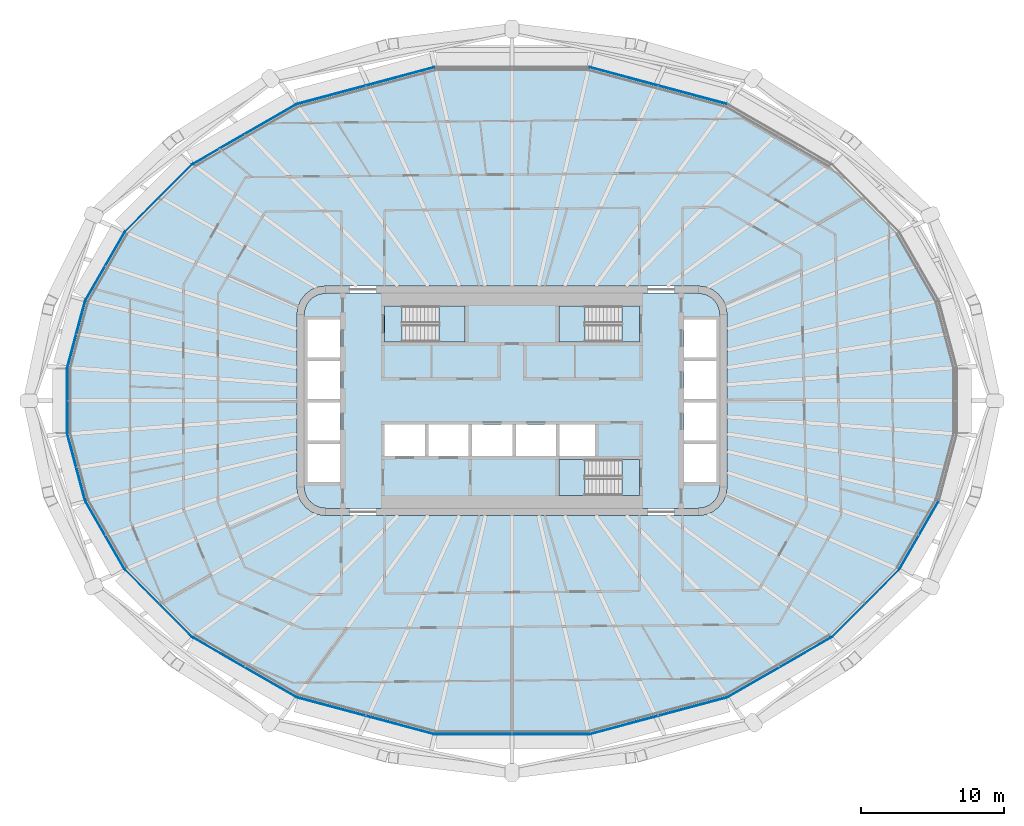
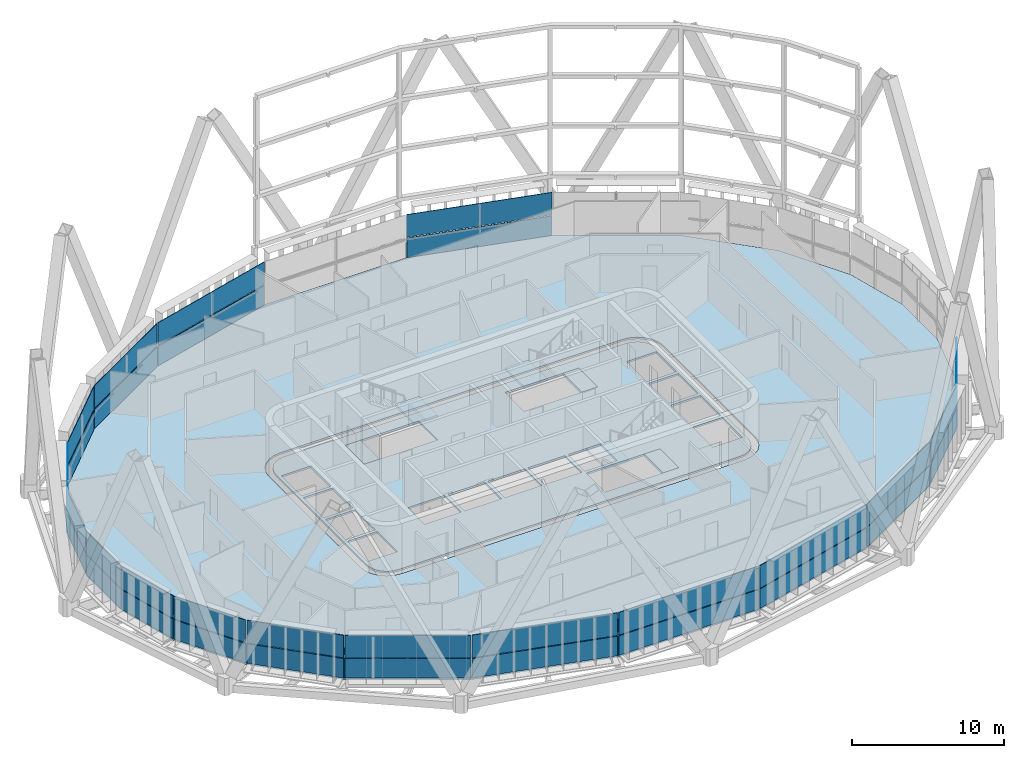
# One storey, part 11 of 25: 34 plates, 8 slabs, 20 elements without a shape of their own.
"""IFC4 building model written with IfcOpenShell, lengths in metres."""

from ifc_helpers import new_model, si_unit, direction, frame, origin, place, context, subcontext, project, spatial, polyline, outline, extrude, material, layer, layer_set, type_object, element, aggregate, save


model = new_model("IFC4")

# Units and contexts
model_context = context("Model", 3, precision=1e-05, world=origin(), true_north=direction((0.0, 1.0)))
body_context = subcontext(model_context, "Body", "Model", "MODEL_VIEW")
ifc_project = project(units=[si_unit("LENGTHUNIT", "METRE"), si_unit("AREAUNIT", "SQUARE_METRE"), si_unit("VOLUMEUNIT", "CUBIC_METRE"), si_unit("PLANEANGLEUNIT", "RADIAN"), si_unit("MASSUNIT", "GRAM", prefix="KILO")], contexts=[model_context])

# Site, building, storey
site_placement = place(None, origin())
site = spatial("IfcSite", under=ifc_project, at=site_placement, CompositionType="ELEMENT")
building_placement = place(site_placement, origin())
building = spatial("IfcBuilding", under=site, at=building_placement, Name="Sahrelin Media Tower", CompositionType="ELEMENT")
storey_placement = place(building_placement, frame((0.0, 0.0, 181.60009765625)))
storey = spatial("IfcBuildingStorey", under=building, at=storey_placement, Name="L38", CompositionType="ELEMENT", Elevation=181.60009765625)

# Slabs
ifc_material_1 = material(Name="Concrete C40/50", Category="concrete")
ifc_layer_1 = layer(ifc_material_1, 0.14990234375)
ifc_layer_set_1 = layer_set([ifc_layer_1], Name="Composite floor slab 150")
slab_type_1 = type_object("IfcSlabType", Name="Composite floor slab 150", PredefinedType="FLOOR", material=ifc_layer_set_1)
placement_1 = place(storey_placement, frame((0.0, 0.0, -0.150146484375)))
element("IfcSlab", 1, at=placement_1, inside=storey, type_object=slab_type_1, Name="Floor slab L38", PredefinedType="FLOOR", context=body_context, shape_type="SweptSolid", body=[
    extrude(outline(polyline([(30.99560546875, -2.31396484375), (30.99560546875, 2.31396484375), (29.742919921875, 6.989501953125), (26.988525390625, 11.760009765625), (22.255126953125, 16.4931640625), (15.02880859375, 20.66552734375), (5.368896484375, 23.25390625), (-5.368896484375, 23.25390625), (-15.02880859375, 20.66552734375), (-22.255126953125, 16.4931640625), (-26.988525390625, 11.760009765625), (-29.742919921875, 6.989501953125), (-30.99560546875, 2.31396484375), (-30.99560546875, -2.31396484375), (-29.742919921875, -6.989501953125), (-26.988525390625, -11.760009765625), (-22.255126953125, -16.4931640625), (-15.02880859375, -20.66552734375), (-5.368896484375, -23.25390625), (5.368896484375, -23.25390625), (15.02880859375, -20.66552734375), (22.255126953125, -16.4931640625), (26.988525390625, -11.760009765625), (29.742919921875, -6.989501953125), (30.99560546875, -2.31396484375)]), holes=[polyline([(14.931884765625, 6.517578125), (15.0, 6.0), (15.0, -6.0), (14.931884765625, -6.517578125), (14.732177734375, -7.0), (14.414306640625, -7.414306640625), (14.0, -7.732177734375), (13.517578125, -7.931884765625), (13.0, -8.0), (-13.0, -8.0), (-13.517578125, -7.931884765625), (-14.0, -7.732177734375), (-14.414306640625, -7.414306640625), (-14.732177734375, -7.0), (-14.931884765625, -6.517578125), (-15.0, -6.0), (-15.0, 6.0), (-14.931884765625, 6.517578125), (-14.732177734375, 7.0), (-14.414306640625, 7.414306640625), (-14.0, 7.732177734375), (-13.517578125, 7.931884765625), (-13.0, 8.0), (13.0, 8.0), (13.517578125, 7.931884765625), (14.0, 7.732177734375), (14.414306640625, 7.414306640625), (14.732177734375, 7.0), (14.931884765625, 6.517578125)])]), origin(), (0.0, 0.0, 1.0), 0.150146484375),
])
ifc_layer_2 = layer(ifc_material_1, 0.14990234375)
ifc_layer_set_2 = layer_set([ifc_layer_2], Name="Core floor slab 150")
slab_type_2 = type_object("IfcSlabType", Name="Core floor slab 150", PredefinedType="FLOOR", material=ifc_layer_set_2)
element("IfcSlab", 2, at=placement_1, inside=storey, type_object=slab_type_2, Name="Core floor", PredefinedType="FLOOR", context=body_context, shape_type="SweptSolid", body=[
    extrude(outline(polyline([(-14.44482421875, 6.38720703125), (-14.5, 5.96728515625), (-14.5, -5.96728515625), (-14.44482421875, -6.38720703125), (-14.29541015625, -6.747802734375), (-14.0576171875, -7.0576171875), (-13.747802734375, -7.29541015625), (-13.38720703125, -7.44482421875), (-12.96728515625, -7.5), (12.96728515625, -7.5), (13.38720703125, -7.44482421875), (13.747802734375, -7.29541015625), (14.0576171875, -7.0576171875), (14.29541015625, -6.747802734375), (14.44482421875, -6.38720703125), (14.5, -5.96728515625), (14.5, 5.96728515625), (14.44482421875, 6.38720703125), (14.29541015625, 6.747802734375), (14.0576171875, 7.0576171875), (13.747802734375, 7.29541015625), (13.38720703125, 7.44482421875), (12.96728515625, 7.5), (-12.96728515625, 7.5), (-13.38720703125, 7.44482421875), (-13.747802734375, 7.29541015625), (-14.0576171875, 7.0576171875), (-14.29541015625, 6.747802734375), (-14.44482421875, 6.38720703125)]), holes=[polyline([(-12.0, 3.02490234375), (-12.0, 5.675048828125), (-14.25, 5.675048828125), (-14.25, 3.02490234375), (-12.0, 3.02490234375)]), polyline([(-14.25, 0.125), (-12.0, 0.125), (-12.0, 2.77490234375), (-14.25, 2.77490234375), (-14.25, 0.125)]), polyline([(-14.25, -0.125), (-14.25, -2.77490234375), (-12.0, -2.77490234375), (-12.0, -0.125), (-14.25, -0.125)]), polyline([(-12.0, -3.02490234375), (-14.25, -3.02490234375), (-14.25, -5.675048828125), (-12.0, -5.675048828125), (-12.0, -3.02490234375)]), polyline([(14.25, 3.02490234375), (14.25, 5.675048828125), (12.0, 5.675048828125), (12.0, 3.02490234375), (14.25, 3.02490234375)]), polyline([(12.0, 0.125), (14.25, 0.125), (14.25, 2.77490234375), (12.0, 2.77490234375), (12.0, 0.125)]), polyline([(12.0, -0.125), (12.0, -2.77490234375), (14.25, -2.77490234375), (14.25, -0.125), (12.0, -0.125)]), polyline([(14.25, -3.02490234375), (12.0, -3.02490234375), (12.0, -5.675048828125), (14.25, -5.675048828125), (14.25, -3.02490234375)]), polyline([(-6.074951171875, -3.85009765625), (-6.074951171875, -1.64990234375), (-8.875, -1.64990234375), (-8.875, -3.85009765625), (-6.074951171875, -3.85009765625)]), polyline([(-5.824951171875, -3.85009765625), (-3.02490234375, -3.85009765625), (-3.02490234375, -1.64990234375), (-5.824951171875, -1.64990234375), (-5.824951171875, -3.85009765625)]), polyline([(-2.77490234375, -1.64990234375), (-2.77490234375, -3.85009765625), (0.02490234375, -3.85009765625), (0.02490234375, -1.64990234375), (-2.77490234375, -1.64990234375)]), polyline([(3.074951171875, -1.64990234375), (0.27490234375, -1.64990234375), (0.27490234375, -3.85009765625), (3.074951171875, -3.85009765625), (3.074951171875, -1.64990234375)]), polyline([(5.77490234375, -3.85009765625), (5.77490234375, -1.64990234375), (3.324951171875, -1.64990234375), (3.324951171875, -3.85009765625), (5.77490234375, -3.85009765625)]), polyline([(-8.875, 6.60009765625), (-8.875, 4.10009765625), (-3.27490234375, 4.10009765625), (-3.27490234375, 6.60009765625), (-8.875, 6.60009765625)]), polyline([(3.27490234375, 4.10009765625), (8.875, 4.10009765625), (8.875, 6.60009765625), (3.27490234375, 6.60009765625), (3.27490234375, 4.10009765625)]), polyline([(3.27490234375, -4.10009765625), (3.27490234375, -6.60009765625), (8.875, -6.60009765625), (8.875, -4.10009765625), (3.27490234375, -4.10009765625)])]), origin(), (0.0, 0.0, 1.0), 0.150146484375),
])

# Curtain wall, plate
ifc_material_2 = material(Name="Champagne anodised aluminium 6063-T6", Category="aluminium")
ifc_layer_3 = layer(ifc_material_2, 0.14990234375)
ifc_layer_set_3 = layer_set([ifc_layer_3], Name="Tower ribbon curtain wall")
curtain_wall_type = type_object("IfcCurtainWallType", Name="Tower ribbon curtain wall", PredefinedType="NOTDEFINED", material=ifc_layer_set_3)
curtain_wall_1_placement = place(storey_placement, frame((10.203857421875, 21.97900390625, 0.0), z_axis=(0.0, 0.0, 1.0), x_axis=(1.0, 0.0, 0.0)))
curtain_wall_1 = element("IfcCurtainWall", 3, at=curtain_wall_1_placement, inside=storey, type_object=curtain_wall_type, Name="L38:CW:L38-05", PredefinedType="NOTDEFINED")
ifc_material_3 = material(Name="Clear low-iron glazing", Category="glass")
ifc_layer_4 = layer(ifc_material_3, 0.0439453125)
ifc_layer_set_4 = layer_set([ifc_layer_4], Name="Glazing panel 44 mm CW1B")
plate_type_1 = type_object("IfcPlateType", Name="Glazing panel 44 mm CW1B", PredefinedType="CURTAIN_PANEL", material=ifc_layer_set_4)
plate_1_placement = place(storey_placement, frame((14.993408203125, 20.71630859375, 1.6298828125), z_axis=(0.258825191525, 0.965924179339, 0.0), x_axis=(-0.965924179339, 0.258825191525, 0.0)))
plate_1 = element("IfcPlate", 4, at=plate_1_placement, type_object=plate_type_1, Name="L38:CWP2:L38-05", PredefinedType="CURTAIN_PANEL", context=body_context, shape_type="SweptSolid", body=[
    extrude(outline(polyline([(0.0, 0.0), (9.90625, 0.0), (9.90625, 1.818603515625), (0.0, 1.818603515625), (0.0, 0.0)])), origin(), (0.0, 0.0, -1.0), 0.0439453125),
])

curtain_wall_2_placement = place(storey_placement, frame((-10.2041015625, 21.97900390625, 0.0), z_axis=(0.0, 0.0, 1.0), x_axis=(1.0, 0.0, 0.0)))
curtain_wall_2 = element("IfcCurtainWall", 5, at=curtain_wall_2_placement, inside=storey, type_object=curtain_wall_type, Name="L38:CW:L38-07", PredefinedType="NOTDEFINED")
plate_2_placement = place(storey_placement, frame((-5.4248046875, 23.2802734375, 1.6298828125), z_axis=(-0.258825191525, 0.965924179339, 0.0), x_axis=(-0.965924179339, -0.258825191525, 0.0)))
plate_2 = element("IfcPlate", 6, at=plate_2_placement, type_object=plate_type_1, Name="L38:CWP2:L38-07", PredefinedType="CURTAIN_PANEL", context=body_context, shape_type="SweptSolid", body=[
    extrude(outline(polyline([(0.0, 0.0), (9.90625, 0.0), (9.90625, 1.818603515625), (0.0, 1.818603515625), (0.0, 0.0)])), origin(), (0.0, 0.0, -1.0), 0.0439453125),
])

curtain_wall_3_placement = place(storey_placement, frame((-18.652099609375, 18.5966796875, 0.0), z_axis=(0.0, 0.0, 1.0), x_axis=(1.0, 0.0, 0.0)))
curtain_wall_3 = element("IfcCurtainWall", 7, at=curtain_wall_3_placement, inside=storey, type_object=curtain_wall_type, Name="L38:CW:L38-08", PredefinedType="NOTDEFINED")
plate_3_placement = place(storey_placement, frame((-15.08984375, 20.676513671875, 1.6298828125), z_axis=(-0.500022174841, 0.866012600756, 0.0), x_axis=(-0.866012600756, -0.500022174841, 0.0)))
plate_3 = element("IfcPlate", 8, at=plate_3_placement, type_object=plate_type_1, Name="L38:CWP2:L38-08", PredefinedType="CURTAIN_PANEL", context=body_context, shape_type="SweptSolid", body=[
    extrude(outline(polyline([(0.0, 0.0), (8.249755859375, 0.0), (8.249755859375, 1.818603515625), (0.0, 1.818603515625), (0.0, 0.0)])), origin(), (0.0, 0.0, -1.0), 0.0439453125),
])

curtain_wall_4_placement = place(storey_placement, frame((-24.635986328125, 14.140625, 0.0), z_axis=(0.0, 0.0, 1.0), x_axis=(1.0, 0.0, 0.0)))
curtain_wall_4 = element("IfcCurtainWall", 9, at=curtain_wall_4_placement, inside=storey, type_object=curtain_wall_type, Name="L38:CW:L38-09", PredefinedType="NOTDEFINED")
plate_4_placement = place(storey_placement, frame((-22.31689453125, 16.488037109375, 1.6298828125), z_axis=(-0.70708828337, 0.707125278519, 0.0), x_axis=(-0.707125278519, -0.70708828337, 0.0)))
plate_4 = element("IfcPlate", 10, at=plate_4_placement, type_object=plate_type_1, Name="L38:CWP2:L38-09", PredefinedType="CURTAIN_PANEL", context=body_context, shape_type="SweptSolid", body=[
    extrude(outline(polyline([(0.0, 0.0), (6.599365234375, 0.0), (6.599365234375, 1.818603515625), (0.0, 1.818603515625), (0.0, 0.0)])), origin(), (0.0, 0.0, -1.0), 0.0439453125),
])

curtain_wall_5_placement = place(storey_placement, frame((-28.3828125, 9.384521484375, 0.0), z_axis=(0.0, 0.0, 1.0), x_axis=(1.0, 0.0, 0.0)))
curtain_wall_5 = element("IfcCurtainWall", 11, at=curtain_wall_5_placement, inside=storey, type_object=curtain_wall_type, Name="L38:CW:L38-10", PredefinedType="NOTDEFINED")
plate_5_placement = place(storey_placement, frame((-27.046875, 11.739013671875, 1.6298828125), z_axis=(-0.866045162472, 0.499965775388, 0.0), x_axis=(-0.499965775388, -0.866045162472, 0.0)))
plate_5 = element("IfcPlate", 12, at=plate_5_placement, type_object=plate_type_1, Name="L38:CWP2:L38-10", PredefinedType="CURTAIN_PANEL", context=body_context, shape_type="SweptSolid", body=[
    extrude(outline(polyline([(0.0, 0.0), (5.4140625, 0.0), (5.4140625, 1.818603515625), (0.0, 1.818603515625), (0.0, 0.0)])), origin(), (0.0, 0.0, -1.0), 0.0439453125),
])

curtain_wall_6_placement = place(storey_placement, frame((-30.388427734375, 4.656982421875, 0.0), z_axis=(0.0, 0.0, 1.0), x_axis=(1.0, 0.0, 0.0)))
curtain_wall_6 = element("IfcCurtainWall", 13, at=curtain_wall_6_placement, inside=storey, type_object=curtain_wall_type, Name="L38:CW:L38-11", PredefinedType="NOTDEFINED")
plate_6_placement = place(storey_placement, frame((-29.793701171875, 6.9541015625, 1.6298828125), z_axis=(-0.965926006822, 0.258818371342, 0.0), x_axis=(-0.258818371342, -0.965926006822, 0.0)))
plate_6 = element("IfcPlate", 14, at=plate_6_placement, type_object=plate_type_1, Name="L38:CWP2:L38-11", PredefinedType="CURTAIN_PANEL", context=body_context, shape_type="SweptSolid", body=[
    extrude(outline(polyline([(0.0, 0.0), (4.74560546875, 0.0), (4.74560546875, 1.818603515625), (0.0, 1.818603515625), (0.0, 0.0)])), origin(), (0.0, 0.0, -1.0), 0.0439453125),
])

curtain_wall_7_placement = place(storey_placement, frame((-31.015625, 0.0, 0.0), z_axis=(0.0, 0.0, 1.0), x_axis=(1.0, 0.0, 0.0)))
curtain_wall_7 = element("IfcCurtainWall", 15, at=curtain_wall_7_placement, inside=storey, type_object=curtain_wall_type, Name="L38:CW:L38-12", PredefinedType="NOTDEFINED")
plate_7_placement = place(storey_placement, frame((-31.03564453125, 2.2666015625, 1.6298828125), z_axis=(-1.0, 0.0, 0.0), x_axis=(0.0, -1.0, 0.0)))
plate_7 = element("IfcPlate", 16, at=plate_7_placement, type_object=plate_type_1, Name="L38:CWP2:L38-12", PredefinedType="CURTAIN_PANEL", context=body_context, shape_type="SweptSolid", body=[
    extrude(outline(polyline([(0.0, 0.0), (4.533203125, 0.0), (4.533203125, 1.818603515625), (0.0, 1.818603515625), (0.0, 0.0)])), origin(), (0.0, 0.0, -1.0), 0.0439453125),
])

curtain_wall_8_placement = place(storey_placement, frame((-30.388427734375, -4.65673828125, 0.0), z_axis=(0.0, 0.0, 1.0), x_axis=(1.0, 0.0, 0.0)))
curtain_wall_8 = element("IfcCurtainWall", 17, at=curtain_wall_8_placement, inside=storey, type_object=curtain_wall_type, Name="L38:CW:L38-13", PredefinedType="NOTDEFINED")
plate_8_placement = place(storey_placement, frame((-31.02197265625, -2.3701171875, 1.6298828125), z_axis=(-0.965926006822, -0.258818371342, 0.0), x_axis=(0.258818371342, -0.965926006822, 0.0)))
plate_8 = element("IfcPlate", 18, at=plate_8_placement, type_object=plate_type_1, Name="L38:CWP2:L38-13", PredefinedType="CURTAIN_PANEL", context=body_context, shape_type="SweptSolid", body=[
    extrude(outline(polyline([(0.0, 0.0), (4.74560546875, 0.0), (4.74560546875, 1.818603515625), (0.0, 1.818603515625), (0.0, 0.0)])), origin(), (0.0, 0.0, -1.0), 0.0439453125),
])

curtain_wall_9_placement = place(storey_placement, frame((-28.383056640625, -9.384765625, 0.0), z_axis=(0.0, 0.0, 1.0), x_axis=(1.0, 0.0, 0.0)))
curtain_wall_9 = element("IfcCurtainWall", 19, at=curtain_wall_9_placement, inside=storey, type_object=curtain_wall_type, Name="L38:CW:L38-14", PredefinedType="NOTDEFINED")
plate_9_placement = place(storey_placement, frame((-29.753662109375, -7.05029296875, 1.6298828125), z_axis=(-0.866045162472, -0.499965775388, 0.0), x_axis=(0.499965775388, -0.866045162472, 0.0)))
plate_9 = element("IfcPlate", 20, at=plate_9_placement, type_object=plate_type_1, Name="L38:CWP2:L38-14", PredefinedType="CURTAIN_PANEL", context=body_context, shape_type="SweptSolid", body=[
    extrude(outline(polyline([(0.0, 0.0), (5.4140625, 0.0), (5.4140625, 1.818603515625), (0.0, 1.818603515625), (0.0, 0.0)])), origin(), (0.0, 0.0, -1.0), 0.0439453125),
])

curtain_wall_10_placement = place(storey_placement, frame((-24.635986328125, -14.140625, 0.0), z_axis=(0.0, 0.0, 1.0), x_axis=(1.0, 0.0, 0.0)))
curtain_wall_10 = element("IfcCurtainWall", 21, at=curtain_wall_10_placement, inside=storey, type_object=curtain_wall_type, Name="L38:CW:L38-15", PredefinedType="NOTDEFINED")
plate_10_placement = place(storey_placement, frame((-26.9833984375, -11.82177734375, 1.6298828125), z_axis=(-0.70708828337, -0.707125278519, 0.0), x_axis=(0.707125278519, -0.70708828337, 0.0)))
plate_10 = element("IfcPlate", 22, at=plate_10_placement, type_object=plate_type_1, Name="L38:CWP2:L38-15", PredefinedType="CURTAIN_PANEL", context=body_context, shape_type="SweptSolid", body=[
    extrude(outline(polyline([(0.0, 0.0), (6.599365234375, 0.0), (6.599365234375, 1.818603515625), (0.0, 1.818603515625), (0.0, 0.0)])), origin(), (0.0, 0.0, -1.0), 0.0439453125),
])

curtain_wall_11_placement = place(storey_placement, frame((-18.652099609375, -18.5966796875, 0.0), z_axis=(0.0, 0.0, 1.0), x_axis=(1.0, 0.0, 0.0)))
curtain_wall_11 = element("IfcCurtainWall", 23, at=curtain_wall_11_placement, inside=storey, type_object=curtain_wall_type, Name="L38:CW:L38-16", PredefinedType="NOTDEFINED")
plate_11_placement = place(storey_placement, frame((-22.234130859375, -16.551513671875, 1.6298828125), z_axis=(-0.500022174841, -0.866012600756, 0.0), x_axis=(0.866012600756, -0.500022174841, 0.0)))
plate_11 = element("IfcPlate", 24, at=plate_11_placement, type_object=plate_type_1, Name="L38:CWP2:L38-16", PredefinedType="CURTAIN_PANEL", context=body_context, shape_type="SweptSolid", body=[
    extrude(outline(polyline([(0.0, 0.0), (8.249755859375, 0.0), (8.249755859375, 1.818603515625), (0.0, 1.818603515625), (0.0, 0.0)])), origin(), (0.0, 0.0, -1.0), 0.0439453125),
])

curtain_wall_12_placement = place(storey_placement, frame((-10.203857421875, -21.97900390625, 0.0), z_axis=(0.0, 0.0, 1.0), x_axis=(1.0, 0.0, 0.0)))
curtain_wall_12 = element("IfcCurtainWall", 25, at=curtain_wall_12_placement, inside=storey, type_object=curtain_wall_type, Name="L38:CW:L38-17", PredefinedType="NOTDEFINED")
plate_12_placement = place(storey_placement, frame((-14.993408203125, -20.71630859375, 1.6298828125), z_axis=(-0.258825191525, -0.965924179339, 0.0), x_axis=(0.965924179339, -0.258825191525, 0.0)))
plate_12 = element("IfcPlate", 26, at=plate_12_placement, type_object=plate_type_1, Name="L38:CWP2:L38-17", PredefinedType="CURTAIN_PANEL", context=body_context, shape_type="SweptSolid", body=[
    extrude(outline(polyline([(0.0, 0.0), (9.90625, 0.0), (9.90625, 1.818603515625), (0.0, 1.818603515625), (0.0, 0.0)])), origin(), (0.0, 0.0, -1.0), 0.0439453125),
])

curtain_wall_13_placement = place(storey_placement, frame((0.0, -23.273681640625, 0.0), z_axis=(0.0, 0.0, 1.0), x_axis=(1.0, 0.0, 0.0)))
curtain_wall_13 = element("IfcCurtainWall", 27, at=curtain_wall_13_placement, inside=storey, type_object=curtain_wall_type, Name="L38:CW:L38-18", PredefinedType="NOTDEFINED")
plate_13_placement = place(storey_placement, frame((-5.3212890625, -23.293701171875, 1.6298828125), z_axis=(0.0, -1.0, 0.0), x_axis=(1.0, 0.0, 0.0)))
plate_13 = element("IfcPlate", 28, at=plate_13_placement, type_object=plate_type_1, Name="L38:CWP2:L38-18", PredefinedType="CURTAIN_PANEL", context=body_context, shape_type="SweptSolid", body=[
    extrude(outline(polyline([(0.0, 0.0), (10.642578125, 0.0), (10.642578125, 1.818603515625), (0.0, 1.818603515625), (0.0, 0.0)])), origin(), (0.0, 0.0, -1.0), 0.0439453125),
])

curtain_wall_14_placement = place(storey_placement, frame((10.2041015625, -21.97900390625, 0.0), z_axis=(0.0, 0.0, 1.0), x_axis=(1.0, 0.0, 0.0)))
curtain_wall_14 = element("IfcCurtainWall", 29, at=curtain_wall_14_placement, inside=storey, type_object=curtain_wall_type, Name="L38:CW:L38-19", PredefinedType="NOTDEFINED")
plate_14_placement = place(storey_placement, frame((5.4248046875, -23.2802734375, 1.6298828125), z_axis=(0.258825191525, -0.965924179339, 0.0), x_axis=(0.965924179339, 0.258825191525, 0.0)))
plate_14 = element("IfcPlate", 30, at=plate_14_placement, type_object=plate_type_1, Name="L38:CWP2:L38-19", PredefinedType="CURTAIN_PANEL", context=body_context, shape_type="SweptSolid", body=[
    extrude(outline(polyline([(0.0, 0.0), (9.90625, 0.0), (9.90625, 1.818603515625), (0.0, 1.818603515625), (0.0, 0.0)])), origin(), (0.0, 0.0, -1.0), 0.0439453125),
])

curtain_wall_15_placement = place(storey_placement, frame((18.652099609375, -18.5966796875, 0.0), z_axis=(0.0, 0.0, 1.0), x_axis=(1.0, 0.0, 0.0)))
curtain_wall_15 = element("IfcCurtainWall", 31, at=curtain_wall_15_placement, inside=storey, type_object=curtain_wall_type, Name="L38:CW:L38-20", PredefinedType="NOTDEFINED")
plate_15_placement = place(storey_placement, frame((15.08984375, -20.676513671875, 1.6298828125), z_axis=(0.500022174841, -0.866012600756, 0.0), x_axis=(0.866012600756, 0.500022174841, 0.0)))
plate_15 = element("IfcPlate", 32, at=plate_15_placement, type_object=plate_type_1, Name="L38:CWP2:L38-20", PredefinedType="CURTAIN_PANEL", context=body_context, shape_type="SweptSolid", body=[
    extrude(outline(polyline([(0.0, 0.0), (8.249755859375, 0.0), (8.249755859375, 1.818603515625), (0.0, 1.818603515625), (0.0, 0.0)])), origin(), (0.0, 0.0, -1.0), 0.0439453125),
])

curtain_wall_16_placement = place(storey_placement, frame((24.635986328125, -14.140625, 0.0), z_axis=(0.0, 0.0, 1.0), x_axis=(1.0, 0.0, 0.0)))
curtain_wall_16 = element("IfcCurtainWall", 33, at=curtain_wall_16_placement, inside=storey, type_object=curtain_wall_type, Name="L38:CW:L38-21", PredefinedType="NOTDEFINED")
plate_16_placement = place(storey_placement, frame((22.31689453125, -16.488037109375, 1.6298828125), z_axis=(0.70708828337, -0.707125278519, 0.0), x_axis=(0.707125278519, 0.70708828337, 0.0)))
plate_16 = element("IfcPlate", 34, at=plate_16_placement, type_object=plate_type_1, Name="L38:CWP2:L38-21", PredefinedType="CURTAIN_PANEL", context=body_context, shape_type="SweptSolid", body=[
    extrude(outline(polyline([(0.0, 0.0), (6.599365234375, 0.0), (6.599365234375, 1.818603515625), (0.0, 1.818603515625), (0.0, 0.0)])), origin(), (0.0, 0.0, -1.0), 0.0439453125),
])

curtain_wall_17_placement = place(storey_placement, frame((28.3828125, -9.384521484375, 0.0), z_axis=(0.0, 0.0, 1.0), x_axis=(1.0, 0.0, 0.0)))
curtain_wall_17 = element("IfcCurtainWall", 35, at=curtain_wall_17_placement, inside=storey, type_object=curtain_wall_type, Name="L38:CW:L38-22", PredefinedType="NOTDEFINED")
plate_17_placement = place(storey_placement, frame((27.046875, -11.739013671875, 1.6298828125), z_axis=(0.866045162472, -0.499965775388, 0.0), x_axis=(0.499965775388, 0.866045162472, 0.0)))
plate_17 = element("IfcPlate", 36, at=plate_17_placement, type_object=plate_type_1, Name="L38:CWP2:L38-22", PredefinedType="CURTAIN_PANEL", context=body_context, shape_type="SweptSolid", body=[
    extrude(outline(polyline([(0.0, 0.0), (5.4140625, 0.0), (5.4140625, 1.818603515625), (0.0, 1.818603515625), (0.0, 0.0)])), origin(), (0.0, 0.0, -1.0), 0.0439453125),
])

# Plate
ifc_material_4 = material(Name="Insulated spandrel panel")
ifc_layer_5 = layer(ifc_material_4, 0.06005859375)
ifc_layer_set_5 = layer_set([ifc_layer_5], Name="Spandrel panel 60 mm CW1")
plate_type_2 = type_object("IfcPlateType", Name="Spandrel panel 60 mm CW1", PredefinedType="SHEET", material=ifc_layer_set_5)
plate_18_placement = place(storey_placement, frame((14.993408203125, 20.71630859375, 0.0), z_axis=(0.258825191525, 0.965924179339, 0.0), x_axis=(-0.965924179339, 0.258825191525, 0.0)))
plate_18 = element("IfcPlate", 37, at=plate_18_placement, type_object=plate_type_2, Name="L38:CWP1:L38-05", PredefinedType="SHEET", context=body_context, shape_type="SweptSolid", body=[
    extrude(outline(polyline([(0.0, 0.0), (9.90625, 0.0), (9.90625, 1.56982421875), (0.0, 1.56982421875), (0.0, 0.0)])), origin(), (0.0, 0.0, -1.0), 0.06005859375),
])

aggregate(curtain_wall_1, [plate_18, plate_1])

plate_19_placement = place(storey_placement, frame((-5.4248046875, 23.2802734375, 0.0), z_axis=(-0.258825191525, 0.965924179339, 0.0), x_axis=(-0.965924179339, -0.258825191525, 0.0)))
plate_19 = element("IfcPlate", 38, at=plate_19_placement, type_object=plate_type_2, Name="L38:CWP1:L38-07", PredefinedType="SHEET", context=body_context, shape_type="SweptSolid", body=[
    extrude(outline(polyline([(0.0, 0.0), (9.90625, 0.0), (9.90625, 1.56982421875), (0.0, 1.56982421875), (0.0, 0.0)])), origin(), (0.0, 0.0, -1.0), 0.06005859375),
])

aggregate(curtain_wall_2, [plate_19, plate_2])

plate_20_placement = place(storey_placement, frame((-15.08984375, 20.676513671875, 0.0), z_axis=(-0.500022174841, 0.866012600756, 0.0), x_axis=(-0.866012600756, -0.500022174841, 0.0)))
plate_20 = element("IfcPlate", 39, at=plate_20_placement, type_object=plate_type_2, Name="L38:CWP1:L38-08", PredefinedType="SHEET", context=body_context, shape_type="SweptSolid", body=[
    extrude(outline(polyline([(0.0, 0.0), (8.249755859375, 0.0), (8.249755859375, 1.56982421875), (0.0, 1.56982421875), (0.0, 0.0)])), origin(), (0.0, 0.0, -1.0), 0.06005859375),
])

aggregate(curtain_wall_3, [plate_20, plate_3])

plate_21_placement = place(storey_placement, frame((-22.31689453125, 16.488037109375, 0.0), z_axis=(-0.70708828337, 0.707125278519, 0.0), x_axis=(-0.707125278519, -0.70708828337, 0.0)))
plate_21 = element("IfcPlate", 40, at=plate_21_placement, type_object=plate_type_2, Name="L38:CWP1:L38-09", PredefinedType="SHEET", context=body_context, shape_type="SweptSolid", body=[
    extrude(outline(polyline([(0.0, 0.0), (6.599365234375, 0.0), (6.599365234375, 1.56982421875), (0.0, 1.56982421875), (0.0, 0.0)])), origin(), (0.0, 0.0, -1.0), 0.06005859375),
])

aggregate(curtain_wall_4, [plate_21, plate_4])

plate_22_placement = place(storey_placement, frame((-27.046875, 11.739013671875, 0.0), z_axis=(-0.866045162472, 0.499965775388, 0.0), x_axis=(-0.499965775388, -0.866045162472, 0.0)))
plate_22 = element("IfcPlate", 41, at=plate_22_placement, type_object=plate_type_2, Name="L38:CWP1:L38-10", PredefinedType="SHEET", context=body_context, shape_type="SweptSolid", body=[
    extrude(outline(polyline([(0.0, 0.0), (5.4140625, 0.0), (5.4140625, 1.56982421875), (0.0, 1.56982421875), (0.0, 0.0)])), origin(), (0.0, 0.0, -1.0), 0.06005859375),
])

aggregate(curtain_wall_5, [plate_22, plate_5])

plate_23_placement = place(storey_placement, frame((-29.793701171875, 6.9541015625, 0.0), z_axis=(-0.965926006822, 0.258818371342, 0.0), x_axis=(-0.258818371342, -0.965926006822, 0.0)))
plate_23 = element("IfcPlate", 42, at=plate_23_placement, type_object=plate_type_2, Name="L38:CWP1:L38-11", PredefinedType="SHEET", context=body_context, shape_type="SweptSolid", body=[
    extrude(outline(polyline([(0.0, 0.0), (4.74560546875, 0.0), (4.74560546875, 1.56982421875), (0.0, 1.56982421875), (0.0, 0.0)])), origin(), (0.0, 0.0, -1.0), 0.06005859375),
])

aggregate(curtain_wall_6, [plate_23, plate_6])

plate_24_placement = place(storey_placement, frame((-31.03564453125, 2.2666015625, 0.0), z_axis=(-1.0, 0.0, 0.0), x_axis=(0.0, -1.0, 0.0)))
plate_24 = element("IfcPlate", 43, at=plate_24_placement, type_object=plate_type_2, Name="L38:CWP1:L38-12", PredefinedType="SHEET", context=body_context, shape_type="SweptSolid", body=[
    extrude(outline(polyline([(0.0, 0.0), (4.533203125, 0.0), (4.533203125, 1.56982421875), (0.0, 1.56982421875), (0.0, 0.0)])), origin(), (0.0, 0.0, -1.0), 0.06005859375),
])

aggregate(curtain_wall_7, [plate_24, plate_7])

plate_25_placement = place(storey_placement, frame((-31.02197265625, -2.3701171875, 0.0), z_axis=(-0.965926006822, -0.258818371342, 0.0), x_axis=(0.258818371342, -0.965926006822, 0.0)))
plate_25 = element("IfcPlate", 44, at=plate_25_placement, type_object=plate_type_2, Name="L38:CWP1:L38-13", PredefinedType="SHEET", context=body_context, shape_type="SweptSolid", body=[
    extrude(outline(polyline([(0.0, 0.0), (4.74560546875, 0.0), (4.74560546875, 1.56982421875), (0.0, 1.56982421875), (0.0, 0.0)])), origin(), (0.0, 0.0, -1.0), 0.06005859375),
])

aggregate(curtain_wall_8, [plate_25, plate_8])

plate_26_placement = place(storey_placement, frame((-29.753662109375, -7.05029296875, 0.0), z_axis=(-0.866045162472, -0.499965775388, 0.0), x_axis=(0.499965775388, -0.866045162472, 0.0)))
plate_26 = element("IfcPlate", 45, at=plate_26_placement, type_object=plate_type_2, Name="L38:CWP1:L38-14", PredefinedType="SHEET", context=body_context, shape_type="SweptSolid", body=[
    extrude(outline(polyline([(0.0, 0.0), (5.4140625, 0.0), (5.4140625, 1.56982421875), (0.0, 1.56982421875), (0.0, 0.0)])), origin(), (0.0, 0.0, -1.0), 0.06005859375),
])

aggregate(curtain_wall_9, [plate_26, plate_9])

plate_27_placement = place(storey_placement, frame((-26.9833984375, -11.82177734375, 0.0), z_axis=(-0.70708828337, -0.707125278519, 0.0), x_axis=(0.707125278519, -0.70708828337, 0.0)))
plate_27 = element("IfcPlate", 46, at=plate_27_placement, type_object=plate_type_2, Name="L38:CWP1:L38-15", PredefinedType="SHEET", context=body_context, shape_type="SweptSolid", body=[
    extrude(outline(polyline([(0.0, 0.0), (6.599365234375, 0.0), (6.599365234375, 1.56982421875), (0.0, 1.56982421875), (0.0, 0.0)])), origin(), (0.0, 0.0, -1.0), 0.06005859375),
])

aggregate(curtain_wall_10, [plate_27, plate_10])

plate_28_placement = place(storey_placement, frame((-22.234130859375, -16.551513671875, 0.0), z_axis=(-0.500022174841, -0.866012600756, 0.0), x_axis=(0.866012600756, -0.500022174841, 0.0)))
plate_28 = element("IfcPlate", 47, at=plate_28_placement, type_object=plate_type_2, Name="L38:CWP1:L38-16", PredefinedType="SHEET", context=body_context, shape_type="SweptSolid", body=[
    extrude(outline(polyline([(0.0, 0.0), (8.249755859375, 0.0), (8.249755859375, 1.56982421875), (0.0, 1.56982421875), (0.0, 0.0)])), origin(), (0.0, 0.0, -1.0), 0.06005859375),
])

aggregate(curtain_wall_11, [plate_28, plate_11])

plate_29_placement = place(storey_placement, frame((-14.993408203125, -20.71630859375, 0.0), z_axis=(-0.258825191525, -0.965924179339, 0.0), x_axis=(0.965924179339, -0.258825191525, 0.0)))
plate_29 = element("IfcPlate", 48, at=plate_29_placement, type_object=plate_type_2, Name="L38:CWP1:L38-17", PredefinedType="SHEET", context=body_context, shape_type="SweptSolid", body=[
    extrude(outline(polyline([(0.0, 0.0), (9.90625, 0.0), (9.90625, 1.56982421875), (0.0, 1.56982421875), (0.0, 0.0)])), origin(), (0.0, 0.0, -1.0), 0.06005859375),
])

aggregate(curtain_wall_12, [plate_29, plate_12])

plate_30_placement = place(storey_placement, frame((-5.3212890625, -23.293701171875, 0.0), z_axis=(0.0, -1.0, 0.0), x_axis=(1.0, 0.0, 0.0)))
plate_30 = element("IfcPlate", 49, at=plate_30_placement, type_object=plate_type_2, Name="L38:CWP1:L38-18", PredefinedType="SHEET", context=body_context, shape_type="SweptSolid", body=[
    extrude(outline(polyline([(0.0, 0.0), (10.642578125, 0.0), (10.642578125, 1.56982421875), (0.0, 1.56982421875), (0.0, 0.0)])), origin(), (0.0, 0.0, -1.0), 0.06005859375),
])

aggregate(curtain_wall_13, [plate_30, plate_13])

plate_31_placement = place(storey_placement, frame((5.4248046875, -23.2802734375, 0.0), z_axis=(0.258825191525, -0.965924179339, 0.0), x_axis=(0.965924179339, 0.258825191525, 0.0)))
plate_31 = element("IfcPlate", 50, at=plate_31_placement, type_object=plate_type_2, Name="L38:CWP1:L38-19", PredefinedType="SHEET", context=body_context, shape_type="SweptSolid", body=[
    extrude(outline(polyline([(0.0, 0.0), (9.90625, 0.0), (9.90625, 1.56982421875), (0.0, 1.56982421875), (0.0, 0.0)])), origin(), (0.0, 0.0, -1.0), 0.06005859375),
])

aggregate(curtain_wall_14, [plate_31, plate_14])

plate_32_placement = place(storey_placement, frame((15.08984375, -20.676513671875, 0.0), z_axis=(0.500022174841, -0.866012600756, 0.0), x_axis=(0.866012600756, 0.500022174841, 0.0)))
plate_32 = element("IfcPlate", 51, at=plate_32_placement, type_object=plate_type_2, Name="L38:CWP1:L38-20", PredefinedType="SHEET", context=body_context, shape_type="SweptSolid", body=[
    extrude(outline(polyline([(0.0, 0.0), (8.249755859375, 0.0), (8.249755859375, 1.56982421875), (0.0, 1.56982421875), (0.0, 0.0)])), origin(), (0.0, 0.0, -1.0), 0.06005859375),
])

aggregate(curtain_wall_15, [plate_32, plate_15])

plate_33_placement = place(storey_placement, frame((22.31689453125, -16.488037109375, 0.0), z_axis=(0.70708828337, -0.707125278519, 0.0), x_axis=(0.707125278519, 0.70708828337, 0.0)))
plate_33 = element("IfcPlate", 52, at=plate_33_placement, type_object=plate_type_2, Name="L38:CWP1:L38-21", PredefinedType="SHEET", context=body_context, shape_type="SweptSolid", body=[
    extrude(outline(polyline([(0.0, 0.0), (6.599365234375, 0.0), (6.599365234375, 1.56982421875), (0.0, 1.56982421875), (0.0, 0.0)])), origin(), (0.0, 0.0, -1.0), 0.06005859375),
])

aggregate(curtain_wall_16, [plate_33, plate_16])

plate_34_placement = place(storey_placement, frame((27.046875, -11.739013671875, 0.0), z_axis=(0.866045162472, -0.499965775388, 0.0), x_axis=(0.499965775388, 0.866045162472, 0.0)))
plate_34 = element("IfcPlate", 53, at=plate_34_placement, type_object=plate_type_2, Name="L38:CWP1:L38-22", PredefinedType="SHEET", context=body_context, shape_type="SweptSolid", body=[
    extrude(outline(polyline([(0.0, 0.0), (5.4140625, 0.0), (5.4140625, 1.56982421875), (0.0, 1.56982421875), (0.0, 0.0)])), origin(), (0.0, 0.0, -1.0), 0.06005859375),
])

aggregate(curtain_wall_17, [plate_34, plate_17])

# Stair, slabs
stair_type = type_object("IfcStairType", Name="Exit stair 1200", PredefinedType="HALF_TURN_STAIR", material=ifc_material_1)
placement_2 = place(storey_placement, origin())
stair_1 = element("IfcStair", 54, at=placement_2, inside=storey, type_object=stair_type, Name="L38 Exit stair ST1", PredefinedType="HALF_TURN_STAIR")
ifc_layer_6 = layer(ifc_material_1, 0.199951171875)
ifc_layer_set_6 = layer_set([ifc_layer_6], Name="Stair landing 200")
slab_type_3 = type_object("IfcSlabType", Name="Stair landing 200", PredefinedType="LANDING", material=ifc_layer_set_6)
placement_3 = place(storey_placement, frame((0.0, 0.0, 1.7998046875)))
slab_3 = element("IfcSlab", 55, at=placement_3, type_object=slab_type_3, Name="ST1 landing 1", PredefinedType="LANDING", context=body_context, shape_type="SweptSolid", body=[
    extrude(outline(polyline([(-5.074951171875, 4.10009765625), (-3.27490234375, 4.10009765625), (-3.27490234375, 6.60009765625), (-5.074951171875, 6.60009765625), (-5.074951171875, 4.10009765625)])), origin(), (0.0, 0.0, 1.0), 0.2001953125),
])
placement_4 = place(storey_placement, frame((0.0, 0.0, -0.2001953125)))
slab_4 = element("IfcSlab", 56, at=placement_4, type_object=slab_type_3, Name="ST1 landing 2", PredefinedType="LANDING", context=body_context, shape_type="SweptSolid", body=[
    extrude(outline(polyline([(-8.875, 4.10009765625), (-7.675048828125, 4.10009765625), (-7.675048828125, 6.60009765625), (-8.875, 6.60009765625), (-8.875, 4.10009765625)])), origin(), (0.0, 0.0, 1.0), 0.2001953125),
])
aggregate(stair_1, [slab_3, slab_4])

stair_2 = element("IfcStair", 57, at=placement_2, inside=storey, type_object=stair_type, Name="L38 Exit stair ST3", PredefinedType="HALF_TURN_STAIR")
slab_5 = element("IfcSlab", 58, at=placement_3, type_object=slab_type_3, Name="ST3 landing 1", PredefinedType="LANDING", context=body_context, shape_type="SweptSolid", body=[
    extrude(outline(polyline([(5.074951171875, 6.60009765625), (3.27490234375, 6.60009765625), (3.27490234375, 4.10009765625), (5.074951171875, 4.10009765625), (5.074951171875, 6.60009765625)])), origin(), (0.0, 0.0, 1.0), 0.2001953125),
])
slab_6 = element("IfcSlab", 59, at=placement_4, type_object=slab_type_3, Name="ST3 landing 2", PredefinedType="LANDING", context=body_context, shape_type="SweptSolid", body=[
    extrude(outline(polyline([(8.875, 6.60009765625), (7.675048828125, 6.60009765625), (7.675048828125, 4.10009765625), (8.875, 4.10009765625), (8.875, 6.60009765625)])), origin(), (0.0, 0.0, 1.0), 0.2001953125),
])
aggregate(stair_2, [slab_5, slab_6])

stair_3 = element("IfcStair", 60, at=placement_2, inside=storey, type_object=stair_type, Name="L38 Exit stair ST2", PredefinedType="HALF_TURN_STAIR")
slab_7 = element("IfcSlab", 61, at=placement_3, type_object=slab_type_3, Name="ST2 landing 1", PredefinedType="LANDING", context=body_context, shape_type="SweptSolid", body=[
    extrude(outline(polyline([(5.074951171875, -4.10009765625), (3.27490234375, -4.10009765625), (3.27490234375, -6.60009765625), (5.074951171875, -6.60009765625), (5.074951171875, -4.10009765625)])), origin(), (0.0, 0.0, 1.0), 0.2001953125),
])
slab_8 = element("IfcSlab", 62, at=placement_4, type_object=slab_type_3, Name="ST2 landing 2", PredefinedType="LANDING", context=body_context, shape_type="SweptSolid", body=[
    extrude(outline(polyline([(8.875, -4.10009765625), (7.675048828125, -4.10009765625), (7.675048828125, -6.60009765625), (8.875, -6.60009765625), (8.875, -4.10009765625)])), origin(), (0.0, 0.0, 1.0), 0.2001953125),
])
aggregate(stair_3, [slab_7, slab_8])

save(model, "model.ifc")
